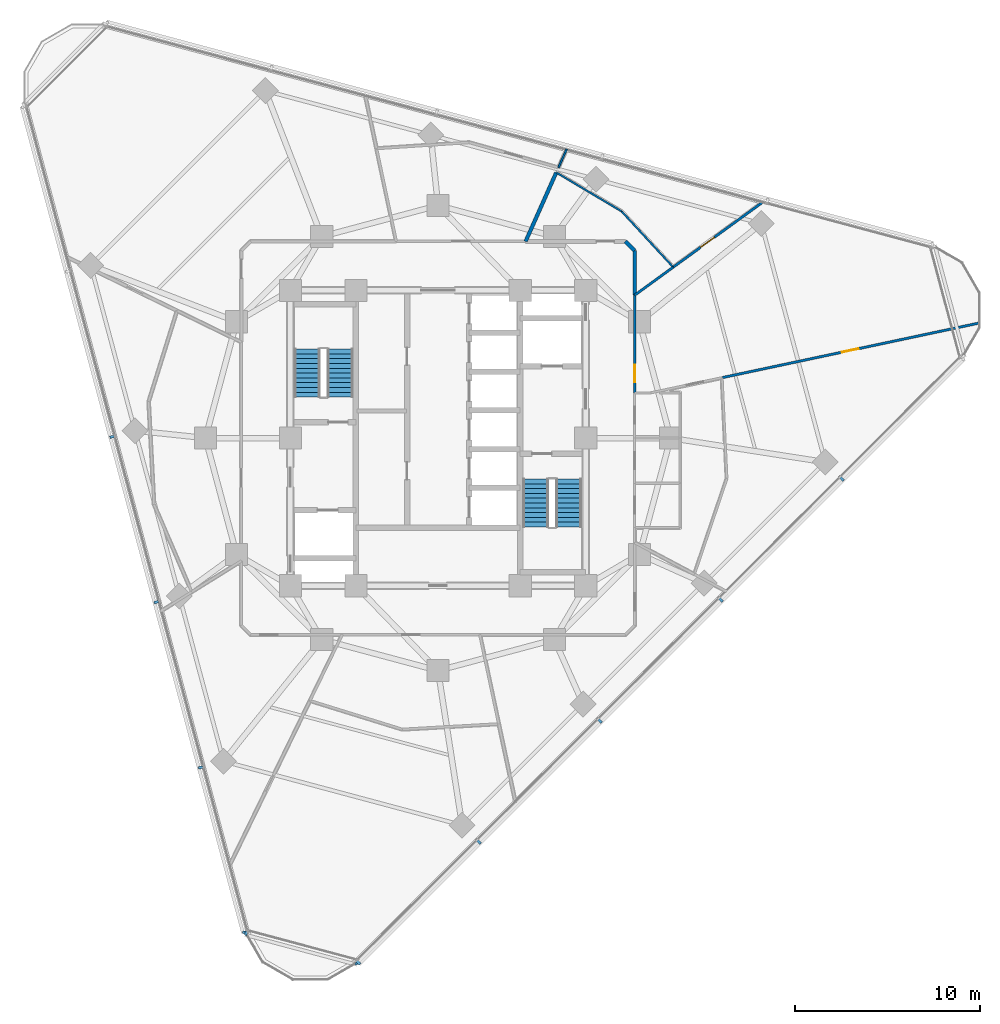
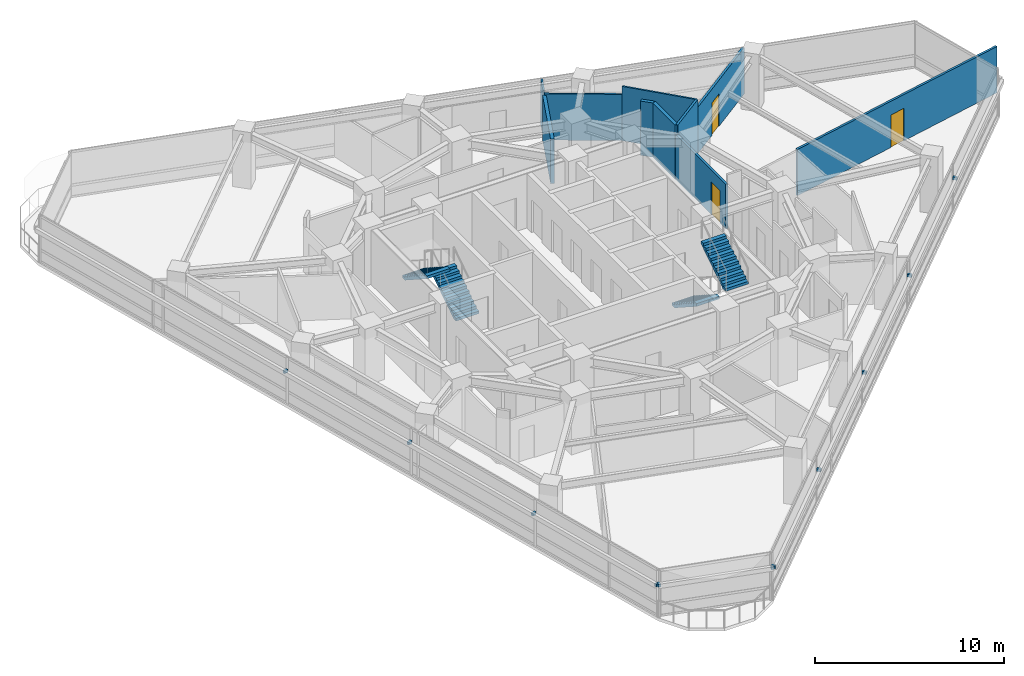
# One storey, part 9 of 14: 11 discrete accessories, 10 walls, 4 stair flights, 3 doors, 3 openings, 2 elements without a shape of their own.
"""IFC4 building model written with IfcOpenShell, lengths in metres."""

from ifc_helpers import new_model, si_unit, direction, frame, frame_2d, origin, origin_2d, place, context, subcontext, project, spatial, polyline, rectangle, outline, extrude, material, layer, layer_set, type_object, element, fill, aggregate, save


model = new_model("IFC4")

# Units and contexts
model_context = context("Model", 3, precision=1e-05, world=origin(), true_north=direction((0.0, 1.0)))
body_context = subcontext(model_context, "Body", "Model", "MODEL_VIEW")
ifc_project = project(units=[si_unit("LENGTHUNIT", "METRE"), si_unit("AREAUNIT", "SQUARE_METRE"), si_unit("VOLUMEUNIT", "CUBIC_METRE"), si_unit("PLANEANGLEUNIT", "RADIAN"), si_unit("MASSUNIT", "GRAM", prefix="KILO")], contexts=[model_context])

# Site, building, storey
site_placement = place(None, origin())
site = spatial("IfcSite", under=ifc_project, at=site_placement, CompositionType="ELEMENT")
building_placement = place(site_placement, origin())
building = spatial("IfcBuilding", under=site, at=building_placement, Name="Terralouvre Media Tower", CompositionType="ELEMENT")
storey_placement = place(building_placement, frame((0.0, 0.0, 184.199951171875)))
storey = spatial("IfcBuildingStorey", under=building, at=storey_placement, Name="L47", CompositionType="ELEMENT", Elevation=184.199951171875)

# Walls
ifc_material_1 = material(Name="Low-iron laminated double glazing with solar-control coating", Category="glass")
ifc_layer_1 = layer(ifc_material_1, 0.10009765625, Name="Demountable Glazed Office Partition PT-GL100")
ifc_layer_set_1 = layer_set([ifc_layer_1], Name="Low-iron laminated double glazing with solar-control coating")
wall_type_1 = type_object("IfcWallType", Name="Demountable Glazed Office Partition PT-GL100", PredefinedType="MOVABLE", material=ifc_layer_set_1)
wall_1_placement = place(storey_placement, frame((6.404052734375, 14.384033203125, 0.0), z_axis=(0.0, 0.0, 1.0), x_axis=(0.859464079119, -0.511196143085, 0.0)))
element("IfcWall", 1, at=wall_1_placement, inside=storey, type_object=wall_type_1, Name="L47 Interior Partition 049", PredefinedType="MOVABLE", context=body_context, shape_type="SweptSolid", body=[
    extrude(rectangle(XDim=4.11767578125, YDim=0.10009765625, at=frame_2d((2.058837890625, 0.0))), origin(), (0.0, 0.0, 1.0), 2.985107421875),
])
wall_2_placement = place(storey_placement, frame((9.943115234375, 12.279052734375, 0.0), z_axis=(0.0, 0.0, 1.0), x_axis=(0.678723214903, -0.734394170423, 0.0)))
element("IfcWall", 2, at=wall_2_placement, inside=storey, type_object=wall_type_1, Name="L47 Interior Partition 050", PredefinedType="MOVABLE", context=body_context, shape_type="SweptSolid", body=[
    extrude(rectangle(XDim=4.117919921875, YDim=0.10009765625, at=frame_2d((2.05908203125, 0.0))), origin(), (0.0, 0.0, 1.0), 3.5),
])
wall_3_placement = place(storey_placement, frame((6.96923828125, 15.652587890625, 0.0), z_axis=(0.0, 0.0, 1.0), x_axis=(-0.407125799041, -0.913372094907, 0.0)))
element("IfcWall", 3, at=wall_3_placement, inside=storey, type_object=wall_type_1, Name="L47 Interior Partition 051", PredefinedType="MOVABLE", context=body_context, shape_type="SweptSolid", body=[
    extrude(rectangle(XDim=1.10107421875, YDim=0.10009765625, at=frame_2d((0.550537109375, 0.0))), origin(), (0.0, 0.0, 1.0), 2.985107421875),
])
ifc_material_2 = material(Name="Fire-rated gypsum board drywall partition")
ifc_layer_2 = layer(ifc_material_2, 0.199951171875, Name="Fire-Rated Shaft and Lobby Partition FW-200")
ifc_layer_set_2 = layer_set([ifc_layer_2], Name="Fire-rated gypsum board drywall partition")
wall_type_2 = type_object("IfcWallType", Name="Fire-Rated Shaft and Lobby Partition FW-200", PredefinedType="SOLIDWALL", material=ifc_layer_set_2)
wall_4_placement = place(storey_placement, frame((10.64990234375, 7.738037109375, 0.0), z_axis=(0.0, 0.0, 1.0), x_axis=(0.0, 1.0, 0.0)))
element("IfcWall", 4, at=wall_4_placement, inside=storey, type_object=wall_type_2, Name="L47 Interior Partition 014", PredefinedType="SOLIDWALL", context=body_context, shape_type="SweptSolid", body=[
    extrude(rectangle(XDim=2.411865234375, YDim=0.199951171875, at=frame_2d((1.2060546875, 0.0))), origin(), (0.0, 0.0, 1.0), 3.5),
])
wall_5_placement = place(storey_placement, frame((10.64990234375, 10.14990234375, 0.0), z_axis=(0.0, 0.0, 1.0), x_axis=(-0.707106781187, 0.707106781187, 0.0)))
element("IfcWall", 5, at=wall_5_placement, inside=storey, type_object=wall_type_2, Name="L47 Interior Partition 015", PredefinedType="SOLIDWALL", context=body_context, shape_type="SweptSolid", body=[
    extrude(rectangle(XDim=0.70703125, YDim=0.199951171875, at=frame_2d((0.353515625, 0.0))), origin(), (0.0, 0.0, 1.0), 3.5),
])
wall_6_placement = place(storey_placement, frame((6.404052734375, 14.384033203125, 0.0), z_axis=(0.0, 0.0, 1.0), x_axis=(-0.406648271104, -0.913584798258, 0.0)))
element("IfcWall", 6, at=wall_6_placement, inside=storey, type_object=wall_type_2, Name="L47 Interior Partition 052", PredefinedType="SOLIDWALL", context=body_context, shape_type="SweptSolid", body=[
    extrude(rectangle(XDim=4.08740234375, YDim=0.199951171875, at=frame_2d((2.043701171875, 0.0))), origin(), (0.0, 0.0, 1.0), 2.885009765625),
])

# Wall, opening, door
ifc_material_3 = material(Name="Fire-rated gypsum board drywall partition")
ifc_layer_3 = layer(ifc_material_3, 0.135009765625, Name="Newsroom Acoustic Partition PT-135")
ifc_layer_set_3 = layer_set([ifc_layer_3], Name="Fire-rated gypsum board drywall partition")
wall_type_3 = type_object("IfcWallType", Name="Newsroom Acoustic Partition PT-135", PredefinedType="PARTITIONING", material=ifc_layer_set_3)
wall_7_placement = place(storey_placement, frame((10.64990234375, 2.449951171875, 0.0), z_axis=(0.0, 0.0, 1.0), x_axis=(0.0, 1.0, 0.0)))
wall_7 = element("IfcWall", 7, at=wall_7_placement, inside=storey, type_object=wall_type_3, Name="L47 Interior Partition 013", PredefinedType="PARTITIONING", context=body_context, shape_type="SweptSolid", body=[
    extrude(rectangle(XDim=5.2880859375, YDim=0.135009765625, at=frame_2d((2.64404296875, 0.0))), origin(), (0.0, 0.0, 1.0), 2.885009765625),
])
opening_1_placement = place(wall_7_placement, frame((0.58251953125, 0.0, 0.0)))
opening_1 = element("IfcOpeningElement", 8, at=opening_1_placement, cuts=wall_7, Name="Opening ID-02-95X210", PredefinedType="OPENING", context=body_context, shape_type="SweptSolid", body=[
    extrude(rectangle(XDim=0.949951171875, YDim=2.10009765625, at=frame_2d((0.47509765625, 1.050048828125))), frame((0.0, 0.077392578125, 0.0), z_axis=(0.0, -1.0, 0.0), x_axis=(1.0, 0.0, 0.0)), (0.0, 0.0, 1.0), 0.155029296875),
])
ifc_material_4 = material(Name="Engineered hardwood acoustic timber leaf", Category="wood")
door_type_1 = type_object("IfcDoorType", Name="Office and Meeting Room Door ID-02 (950x2100)", OperationType="NOTDEFINED", PredefinedType="DOOR", material=ifc_material_4)
door_1_placement = place(opening_1_placement, origin())
door_1 = element("IfcDoor", 9, at=door_1_placement, inside=storey, type_object=door_type_1, Name="L47 Audio Tape Archive Storage 8 Door", OperationType="SINGLE_SWING_LEFT", OverallHeight=2.10009765625, OverallWidth=0.949951171875, PredefinedType="DOOR", context=body_context, shape_type="SweptSolid", body=[
    extrude(rectangle(XDim=0.949951171875, YDim=2.10009765625, at=frame_2d((0.47509765625, 1.050048828125))), frame((0.0, 0.02490234375, 0.0), z_axis=(0.0, -1.0, 0.0), x_axis=(1.0, 0.0, 0.0)), (0.0, 0.0, 1.0), 0.050048828125),
])
fill(opening_1, door_1)

wall_8_placement = place(storey_placement, frame((29.2705078125, 6.221435546875, 0.0), z_axis=(0.0, 0.0, 1.0), x_axis=(-0.978151114267, -0.207895160259, 0.0)))
wall_8 = element("IfcWall", 10, at=wall_8_placement, inside=storey, type_object=wall_type_3, Name="L47 Interior Partition 045", PredefinedType="PARTITIONING", context=body_context, shape_type="SweptSolid", body=[
    extrude(rectangle(XDim=14.19677734375, YDim=0.135009765625, at=frame_2d((7.098388671875, 0.0))), origin(), (0.0, 0.0, 1.0), 2.985107421875),
])
opening_2_placement = place(wall_8_placement, frame((6.638427734375, 0.0, 0.0)))
opening_2 = element("IfcOpeningElement", 11, at=opening_2_placement, cuts=wall_8, Name="Opening ID-03-92X210", PredefinedType="OPENING", context=body_context, shape_type="SweptSolid", body=[
    extrude(rectangle(XDim=0.919921875, YDim=2.10009765625, at=frame_2d((0.4599609375, 1.050048828125))), frame((0.0, 0.077392578125, 0.0), z_axis=(0.0, -1.0, 0.0), x_axis=(1.0, 0.0, 0.0)), (0.0, 0.0, 1.0), 0.155029296875),
])
ifc_material_5 = material(Name="Engineered hardwood acoustic timber leaf", Category="wood")
door_type_2 = type_object("IfcDoorType", Name="Accessible Restroom and Suite Door ID-03 (920x2100)", OperationType="NOTDEFINED", PredefinedType="DOOR", material=ifc_material_5)
door_2_placement = place(opening_2_placement, origin())
door_2 = element("IfcDoor", 12, at=door_2_placement, inside=storey, type_object=door_type_2, Name="L47 Microphone Locker Store 7 Door", OperationType="SINGLE_SWING_LEFT", OverallHeight=2.10009765625, OverallWidth=0.919921875, PredefinedType="DOOR", context=body_context, shape_type="SweptSolid", body=[
    extrude(rectangle(XDim=0.919921875, YDim=2.10009765625, at=frame_2d((0.4599609375, 1.050048828125))), frame((0.0, 0.02490234375, 0.0), z_axis=(0.0, -1.0, 0.0), x_axis=(1.0, 0.0, 0.0)), (0.0, 0.0, 1.0), 0.050048828125),
])
fill(opening_2, door_2)

wall_9_placement = place(storey_placement, frame((17.616943359375, 12.799560546875, 0.0), z_axis=(0.0, 0.0, 1.0), x_axis=(-0.809021342768, -0.587779267196, 0.0)))
wall_9 = element("IfcWall", 13, at=wall_9_placement, inside=storey, type_object=wall_type_3, Name="L47 Interior Partition 047", PredefinedType="PARTITIONING", context=body_context, shape_type="SweptSolid", body=[
    extrude(rectangle(XDim=6.030517578125, YDim=0.135009765625, at=frame_2d((3.01513671875, 0.0))), origin(), (0.0, 0.0, 1.0), 2.985107421875),
])
opening_3_placement = place(wall_9_placement, frame((3.279052734375, 0.0, 0.0)))
opening_3 = element("IfcOpeningElement", 14, at=opening_3_placement, cuts=wall_9, Name="Opening ID-03-92X210", PredefinedType="OPENING", context=body_context, shape_type="SweptSolid", body=[
    extrude(rectangle(XDim=0.919921875, YDim=2.10009765625, at=frame_2d((0.4599609375, 1.050048828125))), frame((0.0, 0.077392578125, 0.0), z_axis=(0.0, -1.0, 0.0), x_axis=(1.0, 0.0, 0.0)), (0.0, 0.0, 1.0), 0.155029296875),
])
door_3_placement = place(opening_3_placement, origin())
door_3 = element("IfcDoor", 15, at=door_3_placement, inside=storey, type_object=door_type_2, Name="L47 Program Schedule Briefing Room 9 Door", OperationType="SINGLE_SWING_RIGHT", OverallHeight=2.10009765625, OverallWidth=0.919921875, PredefinedType="DOOR", context=body_context, shape_type="SweptSolid", body=[
    extrude(rectangle(XDim=0.919921875, YDim=2.10009765625, at=frame_2d((0.4599609375, 1.050048828125))), frame((0.0, 0.02490234375, 0.0), z_axis=(0.0, -1.0, 0.0), x_axis=(1.0, 0.0, 0.0)), (0.0, 0.0, 1.0), 0.050048828125),
])
fill(opening_3, door_3)

# Wall
wall_10_placement = place(storey_placement, frame((12.738037109375, 9.2548828125, 0.0), z_axis=(0.0, 0.0, 1.0), x_axis=(-0.809067292609, -0.587716016483, 0.0)))
element("IfcWall", 16, at=wall_10_placement, inside=storey, type_object=wall_type_3, Name="L47 Interior Partition 048", PredefinedType="PARTITIONING", context=body_context, shape_type="SweptSolid", body=[
    extrude(rectangle(XDim=2.580810546875, YDim=0.135009765625, at=frame_2d((1.29052734375, 0.0))), origin(), (0.0, 0.0, 1.0), 3.5),
])

# Stair, stair flights
ifc_material_6 = material(Name="Concrete C45/55", Category="concrete")
stair_type_1 = type_object("IfcStairType", Name="Dogleg Stair Assembly ST-01", PredefinedType="HALF_TURN_STAIR", material=ifc_material_6)
stair_1_placement = place(storey_placement, origin())
stair_1 = element("IfcStair", 17, at=stair_1_placement, inside=storey, type_object=stair_type_1, Name="L47 Core Pressurised Exit Stair ST-01", PredefinedType="HALF_TURN_STAIR")
ifc_material_7 = material(Name="Concrete C45/55", Category="concrete")
stair_flight_type = type_object("IfcStairFlightType", Name="Reinforced Concrete Stair Flight SF-RC1", PredefinedType="STRAIGHT", material=ifc_material_7)
stair_flight_1_placement = place(storey_placement, frame((-5.300048828125, 2.219970703125, 0.0), z_axis=(0.0, 0.0, 1.0), x_axis=(0.0, 1.0, 0.0)))
stair_flight_1 = element("IfcStairFlight", 18, at=stair_flight_1_placement, type_object=stair_flight_type, Name="ST-01 flight 1", NumberOfRisers=11, NumberOfTreads=10, PredefinedType="STRAIGHT", RiserHeight=0.168181818, TreadLength=0.26, context=body_context, shape_type="SweptSolid", body=[
    extrude(outline(polyline([(0.0, 0.0), (0.0, 0.168212890625), (0.260009765625, 0.168212890625), (0.260009765625, 0.33642578125), (0.52001953125, 0.33642578125), (0.52001953125, 0.504638671875), (0.780029296875, 0.504638671875), (0.780029296875, 0.672607421875), (1.0400390625, 0.672607421875), (1.0400390625, 0.8408203125), (1.300048828125, 0.8408203125), (1.300048828125, 1.009033203125), (1.56005859375, 1.009033203125), (1.56005859375, 1.17724609375), (1.820068359375, 1.17724609375), (1.820068359375, 1.345458984375), (2.080078125, 1.345458984375), (2.080078125, 1.513671875), (2.340087890625, 1.513671875), (2.340087890625, 1.681884765625), (2.60009765625, 1.681884765625), (2.60009765625, 1.85009765625), (2.60009765625, 1.503173828125), (0.27587890625, 0.0), (0.0, 0.0)])), frame((0.0, 0.699951171875, 0.0), z_axis=(0.0, -1.0, 0.0), x_axis=(1.0, 0.0, 0.0)), (0.0, 0.0, 1.0), 1.39990234375),
])
stair_flight_2_placement = place(storey_placement, frame((-7.080078125, 4.820068359375, 1.85009765625), z_axis=(0.0, 0.0, 1.0), x_axis=(0.0, -1.0, 0.0)))
stair_flight_2 = element("IfcStairFlight", 19, at=stair_flight_2_placement, type_object=stair_flight_type, Name="ST-01 flight 2", NumberOfRisers=11, NumberOfTreads=10, PredefinedType="STRAIGHT", RiserHeight=0.168181818, TreadLength=0.26, context=body_context, shape_type="SweptSolid", body=[
    extrude(outline(polyline([(0.0, 0.0), (0.0, 0.168212890625), (0.260009765625, 0.168212890625), (0.260009765625, 0.33642578125), (0.52001953125, 0.33642578125), (0.52001953125, 0.504638671875), (0.780029296875, 0.504638671875), (0.780029296875, 0.672607421875), (1.0400390625, 0.672607421875), (1.0400390625, 0.8408203125), (1.300048828125, 0.8408203125), (1.300048828125, 1.009033203125), (1.56005859375, 1.009033203125), (1.56005859375, 1.17724609375), (1.820068359375, 1.17724609375), (1.820068359375, 1.345458984375), (2.080078125, 1.345458984375), (2.080078125, 1.513671875), (2.340087890625, 1.513671875), (2.340087890625, 1.681884765625), (2.60009765625, 1.681884765625), (2.60009765625, 1.85009765625), (2.60009765625, 1.503173828125), (0.27587890625, 0.0), (0.0, 0.0)])), frame((0.0, 0.699951171875, 0.0), z_axis=(0.0, -1.0, 0.0), x_axis=(1.0, 0.0, 0.0)), (0.0, 0.0, 1.0), 1.39990234375),
])
aggregate(stair_1, [stair_flight_1, stair_flight_2])

ifc_material_8 = material(Name="Concrete C45/55", Category="concrete")
stair_type_2 = type_object("IfcStairType", Name="Dogleg Stair Assembly ST-02", PredefinedType="HALF_TURN_STAIR", material=ifc_material_8)
stair_2_placement = place(storey_placement, origin())
stair_2 = element("IfcStair", 20, at=stair_2_placement, inside=storey, type_object=stair_type_2, Name="L47 Core Pressurised Exit Stair ST-02", PredefinedType="HALF_TURN_STAIR")
stair_flight_3_placement = place(storey_placement, frame((5.300048828125, -2.219970703125, 0.0), z_axis=(0.0, 0.0, 1.0), x_axis=(0.0, -1.0, 0.0)))
stair_flight_3 = element("IfcStairFlight", 21, at=stair_flight_3_placement, type_object=stair_flight_type, Name="ST-02 flight 1", NumberOfRisers=11, NumberOfTreads=10, PredefinedType="STRAIGHT", RiserHeight=0.168181818, TreadLength=0.26, context=body_context, shape_type="SweptSolid", body=[
    extrude(outline(polyline([(0.0, 0.0), (0.0, 0.168212890625), (0.260009765625, 0.168212890625), (0.260009765625, 0.33642578125), (0.52001953125, 0.33642578125), (0.52001953125, 0.504638671875), (0.780029296875, 0.504638671875), (0.780029296875, 0.672607421875), (1.0400390625, 0.672607421875), (1.0400390625, 0.8408203125), (1.300048828125, 0.8408203125), (1.300048828125, 1.009033203125), (1.56005859375, 1.009033203125), (1.56005859375, 1.17724609375), (1.820068359375, 1.17724609375), (1.820068359375, 1.345458984375), (2.080078125, 1.345458984375), (2.080078125, 1.513671875), (2.340087890625, 1.513671875), (2.340087890625, 1.681884765625), (2.60009765625, 1.681884765625), (2.60009765625, 1.85009765625), (2.60009765625, 1.503173828125), (0.27587890625, 0.0), (0.0, 0.0)])), frame((0.0, 0.699951171875, 0.0), z_axis=(0.0, -1.0, 0.0), x_axis=(1.0, 0.0, 0.0)), (0.0, 0.0, 1.0), 1.39990234375),
])
stair_flight_4_placement = place(storey_placement, frame((7.080078125, -4.820068359375, 1.85009765625), z_axis=(0.0, 0.0, 1.0), x_axis=(0.0, 1.0, 0.0)))
stair_flight_4 = element("IfcStairFlight", 22, at=stair_flight_4_placement, type_object=stair_flight_type, Name="ST-02 flight 2", NumberOfRisers=11, NumberOfTreads=10, PredefinedType="STRAIGHT", RiserHeight=0.168181818, TreadLength=0.26, context=body_context, shape_type="SweptSolid", body=[
    extrude(outline(polyline([(0.0, 0.0), (0.0, 0.168212890625), (0.260009765625, 0.168212890625), (0.260009765625, 0.33642578125), (0.52001953125, 0.33642578125), (0.52001953125, 0.504638671875), (0.780029296875, 0.504638671875), (0.780029296875, 0.672607421875), (1.0400390625, 0.672607421875), (1.0400390625, 0.8408203125), (1.300048828125, 0.8408203125), (1.300048828125, 1.009033203125), (1.56005859375, 1.009033203125), (1.56005859375, 1.17724609375), (1.820068359375, 1.17724609375), (1.820068359375, 1.345458984375), (2.080078125, 1.345458984375), (2.080078125, 1.513671875), (2.340087890625, 1.513671875), (2.340087890625, 1.681884765625), (2.60009765625, 1.681884765625), (2.60009765625, 1.85009765625), (2.60009765625, 1.503173828125), (0.27587890625, 0.0), (0.0, 0.0)])), frame((0.0, 0.699951171875, 0.0), z_axis=(0.0, -1.0, 0.0), x_axis=(1.0, 0.0, 0.0)), (0.0, 0.0, 1.0), 1.39990234375),
])
aggregate(stair_2, [stair_flight_3, stair_flight_4])

# Discrete accessories
ifc_material_9 = material(Name="Anodised extruded aluminium 6063-T6", Category="aluminium")
discrete_accessory_type = type_object("IfcDiscreteAccessoryType", Name="Mullion Stand-Off Baguette Fixing Bracket BK-01", PredefinedType="BRACKET", material=ifc_material_9)
for number, where, z_axis, x_axis, name in (
    (23, (-4.31298828125, -28.41552734375, 2.07421875), (0.0, 0.0, 1.0), (0.707106781187, 0.707106781187, 0.0), "CW-L47-F0 Baguette Outrigger Bracket 1.01"),
    (24, (2.216796875, -21.8857421875, 2.07421875), (0.0, 0.0, 1.0), (0.707106781187, 0.707106781187, 0.0), "CW-L47-F0 Baguette Outrigger Bracket 1.02"),
    (25, (8.77294921875, -15.329345703125, 2.07421875), (0.0, 0.0, 1.0), (0.707106781187, 0.707106781187, 0.0), "CW-L47-F0 Baguette Outrigger Bracket 1.03"),
    (26, (15.329345703125, -8.77294921875, 2.07421875), (0.0, 0.0, 1.0), (0.707106781187, 0.707106781187, 0.0), "CW-L47-F0 Baguette Outrigger Bracket 1.04"),
    (27, (21.8857421875, -2.216796875, 2.07421875), (0.0, 0.0, 1.0), (0.707106781187, 0.707106781187, 0.0), "CW-L47-F0 Baguette Outrigger Bracket 1.05"),
    (28, (-17.662109375, 0.06689453125, 2.07421875), (0.0, 0.0, 1.0), (0.25881903342, -0.96592582942, 0.0), "CW-L47-F2 Baguette Outrigger Bracket 1.03"),
    (29, (-15.262451171875, -8.88916015625, 2.07421875), (0.0, 0.0, 1.0), (0.25881903342, -0.96592582942, 0.0), "CW-L47-F2 Baguette Outrigger Bracket 1.04"),
    (30, (-12.862548828125, -17.84521484375, 2.07421875), (0.0, 0.0, 1.0), (0.25881903342, -0.96592582942, 0.0), "CW-L47-F2 Baguette Outrigger Bracket 1.05"),
    (31, (-10.472412109375, -26.764892578125, 2.07421875), (0.0, 0.0, 1.0), (0.25881903342, -0.96592582942, 0.0), "CW-L47-F2 Baguette Outrigger Bracket 1.06"),
    (32, (-10.39306640625, -26.81982421875, 2.07421875), (0.0, 0.0, 1.0), (0.965925911218, -0.258818728144, 0.0), "CW-L47-C0 Baguette Outrigger Bracket 1.01"),
    (33, (-4.4091796875, -28.42333984375, 2.07421875), (0.0, 0.0, 1.0), (0.965925911218, -0.258818728144, 0.0), "CW-L47-C0 Baguette Outrigger Bracket 1.02"),
):
    element("IfcDiscreteAccessory", number, at=place(storey_placement, frame(where, z_axis=z_axis, x_axis=x_axis)), inside=storey, type_object=discrete_accessory_type, Name=name, PredefinedType="BRACKET", context=body_context, shape_type="SweptSolid", body=[
        extrude(rectangle(XDim=0.139892578125, YDim=0.239990234375, at=origin_2d()), origin(), (0.0, 0.0, 1.0), 0.179931640625),
    ])

save(model, "model.ifc")
